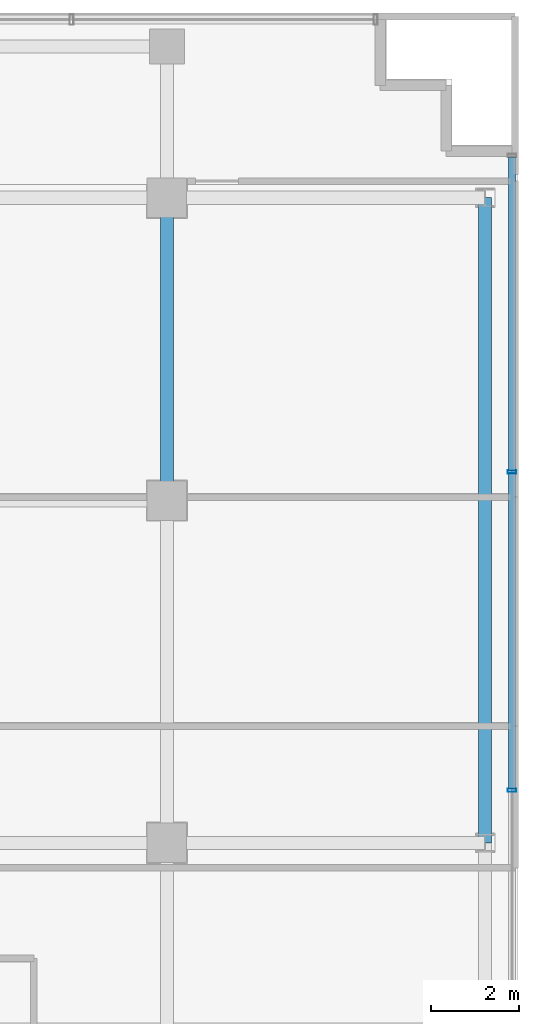
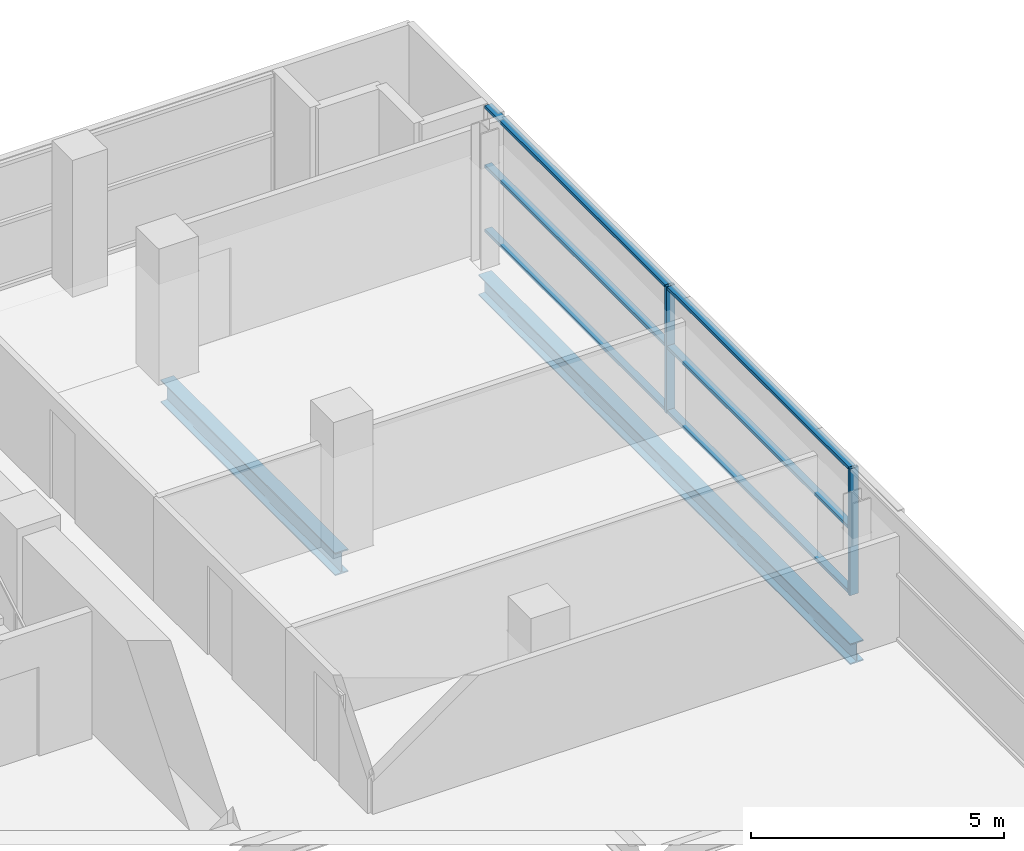
# One storey, part 9 of 23: 8 members, 2 beams, 1 element without a shape of its own.
"""IFC4 building model written with IfcOpenShell, lengths in metres."""

import ifcopenshell
import ifcopenshell.guid

model = None  # the IFC model being written
_history = None  # IfcOwnerHistory: only IFC2X3 demands one
_inside = {}  # id of a spatial element -> (the spatial element, [elements in it])
_under = {}  # id of a project, library or spatial element -> (it, [spatial elements below it])
_declared = {}  # id of a project -> (the project, [libraries it declares])
_typed = {}  # id of a type object -> (the type object, [elements of that type])
_made_of = {}  # id of a material, layer set ... -> (it, [elements and type objects made of it])


def new_model(schema):
    """Start an empty IFC model of exactly this schema.

    Asked for "IFC4X3", IfcOpenShell would pick the latest addendum, in which some entities
    have other attributes; the version numbers below select the first issue.
    IFC2X3 requires an IfcOwnerHistory on every rooted entity: one is made here for all.
    """
    global model, _history
    if schema == "IFC4X3":
        model = ifcopenshell.file(schema_version=(4, 3, 0, 0))
    else:
        model = ifcopenshell.file(schema=schema)
    _inside.clear()
    _under.clear()
    _declared.clear()
    _typed.clear()
    _made_of.clear()
    _history = None
    if model.schema == "IFC2X3":
        org = make("IfcOrganization", Name="unknown")
        user = make(
            "IfcPersonAndOrganization",
            ThePerson=make("IfcPerson", FamilyName="unknown"),
            TheOrganization=org,
        )
        app = make(
            "IfcApplication",
            ApplicationDeveloper=org,
            Version="unknown",
            ApplicationFullName="unknown",
            ApplicationIdentifier="unknown",
        )
        _history = make(
            "IfcOwnerHistory",
            OwningUser=user,
            OwningApplication=app,
            ChangeAction="ADDED",
            CreationDate=0,
        )
    return model


def make(cls, **values):
    """One entity of the class cls with the attributes given. An attribute that is None is left unset."""
    return model.create_entity(
        cls, **{name: value for name, value in values.items() if value is not None}
    )


def rooted(cls, **values):
    """An entity with a GlobalId (a new one), such as an element, a storey or a relation."""
    return make(cls, GlobalId=ifcopenshell.guid.new(), OwnerHistory=_history, **values)


def si_unit(unit_type, name, prefix=None):
    """IfcSIUnit, for example si_unit("LENGTHUNIT", "METRE", prefix="MILLI")."""
    return make("IfcSIUnit", UnitType=unit_type, Prefix=prefix, Name=name)


def assignment(units):
    """IfcUnitAssignment: the units of a project."""
    return None if units is None else make("IfcUnitAssignment", Units=units)


def point(xyz):
    """IfcCartesianPoint."""
    return None if xyz is None else make("IfcCartesianPoint", Coordinates=xyz)


def direction(xyz):
    """IfcDirection."""
    return None if xyz is None else make("IfcDirection", DirectionRatios=xyz)


def frame(location, z_axis=None, x_axis=None):
    """IfcAxis2Placement3D, a coordinate frame: its origin and axes. An axis left out is left unset."""
    return make(
        "IfcAxis2Placement3D",
        Location=point(location),
        Axis=direction(z_axis),
        RefDirection=direction(x_axis),
    )


def frame_2d(location, x_axis=None):
    """IfcAxis2Placement2D, a coordinate frame in the plane: its origin and x axis."""
    return make(
        "IfcAxis2Placement2D", Location=point(location), RefDirection=direction(x_axis)
    )


def origin():
    """The frame at (0, 0, 0) with its axes left unset."""
    return frame((0.0, 0.0, 0.0))


def origin_2d():
    """The frame at (0, 0) in the plane with its x axis left unset."""
    return frame_2d((0.0, 0.0))


def place(relative_to, where):
    """IfcLocalPlacement: puts the frame where relative to a parent placement (None: the world)."""
    return make(
        "IfcLocalPlacement", PlacementRelTo=relative_to, RelativePlacement=where
    )


def context(
    kind, dimensions, precision=None, world=None, true_north=None, identifier=None
):
    """IfcGeometricRepresentationContext, for example the 3D "Model" context."""
    return make(
        "IfcGeometricRepresentationContext",
        ContextIdentifier=identifier,
        ContextType=kind,
        CoordinateSpaceDimension=dimensions,
        Precision=precision,
        WorldCoordinateSystem=world,
        TrueNorth=true_north,
    )


def subcontext(parent, identifier, kind, view, scale=None):
    """IfcGeometricRepresentationSubContext, for example "Body" below "Model"."""
    return make(
        "IfcGeometricRepresentationSubContext",
        ContextIdentifier=identifier,
        ContextType=kind,
        ParentContext=parent,
        TargetScale=scale,
        TargetView=view,
    )


def project(units=None, contexts=None):
    """IfcProject with its units and contexts."""
    return rooted(
        "IfcProject",
        Name="project",
        RepresentationContexts=contexts,
        UnitsInContext=assignment(units),
    )


def spatial(cls, under=None, at=None, **own):
    """A site, building, storey or space (cls), placed at a placement, below another one or the project."""
    s = rooted(cls, ObjectPlacement=at, **own)
    if under is not None:
        _under.setdefault(under.id(), (under, []))[1].append(s)
    return s


def profile(cls, at=None, kind="AREA", **sizes):
    """A parametric profile (cls). Its sizes go by their IFC names, for example OverallWidth=200.0."""
    return make(cls, ProfileType=kind, Position=at, **sizes)


def hollow_rectangle(**sizes):
    """IfcRectangleHollowProfileDef."""
    return profile("IfcRectangleHollowProfileDef", **sizes)


def i_section(**sizes):
    """IfcIShapeProfileDef."""
    return profile("IfcIShapeProfileDef", **sizes)


def extrude(swept, where, along, depth):
    """IfcExtrudedAreaSolid: the profile swept, set in the frame where, extruded along a direction by depth."""
    return make(
        "IfcExtrudedAreaSolid",
        SweptArea=swept,
        Position=where,
        ExtrudedDirection=direction(along),
        Depth=depth,
    )


def shape(context_of_items, identifier, shape_type, items):
    """IfcShapeRepresentation: the items that make up one representation, for example the "Body"."""
    return make(
        "IfcShapeRepresentation",
        ContextOfItems=context_of_items,
        RepresentationIdentifier=identifier,
        RepresentationType=shape_type,
        Items=items,
    )


def source(mapping_origin, context_of_items, identifier, shape_type, items):
    """IfcRepresentationMap: a shape defined once, which mapped items show again and again."""
    return make(
        "IfcRepresentationMap",
        MappingOrigin=mapping_origin,
        MappedRepresentation=shape(context_of_items, identifier, shape_type, items),
    )


def transform(
    local_origin,
    x_axis=None,
    y_axis=None,
    z_axis=None,
    scale=None,
    scale2=None,
    scale3=None,
    uniform=True,
):
    """IfcCartesianTransformationOperator3D, or its non-uniform kind. x_axis, y_axis, z_axis: its Axis1, 2, 3."""
    if uniform:
        return make(
            "IfcCartesianTransformationOperator3D",
            Axis1=direction(x_axis),
            Axis2=direction(y_axis),
            LocalOrigin=point(local_origin),
            Scale=scale,
            Axis3=direction(z_axis),
        )
    return make(
        "IfcCartesianTransformationOperator3DnonUniform",
        Axis1=direction(x_axis),
        Axis2=direction(y_axis),
        LocalOrigin=point(local_origin),
        Scale=scale,
        Axis3=direction(z_axis),
        Scale2=scale2,
        Scale3=scale3,
    )


def mapped(mapping_source, mapping_target):
    """IfcMappedItem: shows the shape of a source again, moved by a transform."""
    return make(
        "IfcMappedItem", MappingSource=mapping_source, MappingTarget=mapping_target
    )


def material(Name=None, Category=None):
    """IfcMaterial."""
    return make("IfcMaterial", Name=Name, Category=Category)


def layer(
    of_material, thickness, ventilated=None, Name=None, Category=None, Priority=None
):
    """IfcMaterialLayer: one layer of a wall or slab, of a material (None: an air gap)."""
    return make(
        "IfcMaterialLayer",
        Material=of_material,
        LayerThickness=thickness,
        IsVentilated=ventilated,
        Name=Name,
        Category=Category,
        Priority=Priority,
    )


def layer_set(layers, Name=None):
    """IfcMaterialLayerSet."""
    return make("IfcMaterialLayerSet", MaterialLayers=layers, LayerSetName=Name)


def material_profile(
    of_material, cross_section, Name=None, Category=None, Priority=None
):
    """IfcMaterialProfile: a cross section and its material."""
    return make(
        "IfcMaterialProfile",
        Name=Name,
        Material=of_material,
        Profile=cross_section,
        Priority=Priority,
        Category=Category,
    )


def profile_set(profiles, Name=None, composite=None):
    """IfcMaterialProfileSet."""
    return make(
        "IfcMaterialProfileSet",
        Name=Name,
        MaterialProfiles=profiles,
        CompositeProfile=composite,
    )


def made_of(thing, what):
    """Note that an element or type object is made of a material, layer set ...; save() writes the relation."""
    if what is not None:
        _made_of.setdefault(what.id(), (what, []))[1].append(thing)
    return thing


def type_object(cls, material=None, **own):
    """A type object (cls), such as IfcWallType, which elements share."""
    return made_of(rooted(cls, **own), material)


def element(
    cls,
    number,
    at=None,
    inside=None,
    cuts=None,
    type_object=None,
    material=None,
    context=None,
    identifier="Body",
    shape_type=None,
    held_by="IfcProductDefinitionShape",
    body=None,
    shapes=None,
    **own,
):
    """One element of the class cls, such as IfcWall. Its Tag is "e" and its number.

    at: its placement. inside: the storey or other place that contains it. cuts: it is an
    opening in that element (IfcRelVoidsElement). A single representation is given by context,
    identifier, shape_type and body (its items); several are given by shapes. held_by: the class
    of the entity that holds the representations. save() writes the other relations.
    """
    e = rooted(cls, Tag="e%d" % number, ObjectPlacement=at, **own)
    if body is not None:
        shapes = [shape(context, identifier, shape_type, body)]
    if shapes is not None:
        e.Representation = make(held_by, Representations=shapes)
    if inside is not None:
        _inside.setdefault(inside.id(), (inside, []))[1].append(e)
    if cuts is not None:
        rooted(
            "IfcRelVoidsElement", RelatingBuildingElement=cuts, RelatedOpeningElement=e
        )
    if type_object is not None:
        _typed.setdefault(type_object.id(), (type_object, []))[1].append(e)
    return made_of(e, material)


def aggregate(whole, parts):
    """IfcRelAggregates: a whole, such as a stair, and the parts it consists of."""
    return rooted("IfcRelAggregates", RelatingObject=whole, RelatedObjects=parts)


def save(model, path):
    """Write the relations noted so far, then the file.

    IfcRelAggregates (storeys below a building ...), IfcRelContainedInSpatialStructure (elements
    in a storey), IfcRelDefinesByType, IfcRelAssociatesMaterial and IfcRelDeclares: one each for
    every whole, place, type object, material and project.
    """
    for whole, parts in _under.values():
        aggregate(whole, parts)
    for where, things in _inside.values():
        rooted(
            "IfcRelContainedInSpatialStructure",
            RelatedElements=things,
            RelatingStructure=where,
        )
    for kind, things in _typed.values():
        rooted("IfcRelDefinesByType", RelatedObjects=things, RelatingType=kind)
    for what, things in _made_of.values():
        rooted("IfcRelAssociatesMaterial", RelatedObjects=things, RelatingMaterial=what)
    for by, libraries in _declared.values():
        rooted("IfcRelDeclares", RelatingContext=by, RelatedDefinitions=libraries)
    model.write(path)


model = new_model("IFC4")

# Units and contexts
model_context = context("Model", 3, precision=1e-05, world=origin(), true_north=direction((0.0, 1.0)))
body_context = subcontext(model_context, "Body", "Model", "MODEL_VIEW")
ifc_project = project(units=[si_unit("LENGTHUNIT", "METRE"), si_unit("AREAUNIT", "SQUARE_METRE"), si_unit("VOLUMEUNIT", "CUBIC_METRE"), si_unit("PLANEANGLEUNIT", "RADIAN"), si_unit("MASSUNIT", "GRAM", prefix="KILO")], contexts=[model_context])

# Site, building, storey
site_placement = place(None, origin())
site = spatial("IfcSite", under=ifc_project, at=site_placement, CompositionType="ELEMENT")
building_placement = place(site_placement, origin())
building = spatial("IfcBuilding", under=site, at=building_placement, Name="Zarnakvel Exchange Tower", CompositionType="ELEMENT")
storey_placement = place(building_placement, frame((0.0, 0.0, 129.699951171875)))
storey = spatial("IfcBuildingStorey", under=building, at=storey_placement, Name="L36", CompositionType="ELEMENT", Elevation=129.699951171875)

# Beams
ifc_material_1 = material(Name="Steel S355", Category="steel")
ifc_material_profile_1 = material_profile(ifc_material_1, i_section(OverallWidth=0.300048828125, OverallDepth=0.550048828125, WebThickness=0.014892578125, FlangeThickness=0.029052734375, FilletRadius=0.027099609375, at=origin_2d()))
ifc_profile_set_1 = profile_set([ifc_material_profile_1], Name="Steel S355")
beam_type_1 = type_object("IfcBeamType", Name="G-05", PredefinedType="BEAM", material=ifc_profile_set_1)
beam_1_placement = place(storey_placement, frame((21.60009765625, 6.60009765625, -0.5), z_axis=(0.0, 1.0, 0.0), x_axis=(-1.0, 0.0, 0.0)))
element("IfcBeam", 1, at=beam_1_placement, inside=storey, type_object=beam_type_1, Name="L36 Tower N-S Frame Beam", PredefinedType="BEAM", context=body_context, shape_type="SweptSolid", body=[
    extrude(i_section(OverallWidth=0.300048828125, OverallDepth=0.550048828125, WebThickness=0.014892578125, FlangeThickness=0.029052734375, FilletRadius=0.027099609375, at=origin_2d()), origin(), (0.0, 0.0, 1.0), 6.89990234375),
])
ifc_material_profile_2 = material_profile(ifc_material_1, i_section(OverallWidth=0.300048828125, OverallDepth=0.5, WebThickness=0.014404296875, FlangeThickness=0.028076171875, FilletRadius=0.027099609375, at=origin_2d()))
ifc_profile_set_2 = profile_set([ifc_material_profile_2], Name="Steel S355")
beam_type_2 = type_object("IfcBeamType", Name="SP-02", PredefinedType="SPANDREL", material=ifc_profile_set_2)
beam_2_placement = place(storey_placement, frame((28.85009765625, -1.199951171875, -0.474853515625), z_axis=(0.0, 1.0, 0.0), x_axis=(-1.0, 0.0, 0.0)))
element("IfcBeam", 2, at=beam_2_placement, inside=storey, type_object=beam_type_2, Name="L36 Tower N-S Frame Beam", PredefinedType="SPANDREL", context=body_context, shape_type="SweptSolid", body=[
    extrude(i_section(OverallWidth=0.300048828125, OverallDepth=0.5, WebThickness=0.014404296875, FlangeThickness=0.028076171875, FilletRadius=0.027099609375, at=origin_2d()), origin(), (0.0, 0.0, 1.0), 14.699951171875),
])

# Curtain wall, members
ifc_material_2 = material(Name="Architectural Bronze Anodised Aluminium", Category="aluminium")
ifc_layer = layer(ifc_material_2, 0.199951171875)
ifc_layer_set = layer_set([ifc_layer], Name="Architectural Bronze Anodised Aluminium")
curtain_wall_type = type_object("IfcCurtainWallType", Name="CW-04", PredefinedType="NOTDEFINED", material=ifc_layer_set)
curtain_wall_placement = place(storey_placement, origin())
curtain_wall = element("IfcCurtainWall", 3, at=curtain_wall_placement, inside=storey, type_object=curtain_wall_type, Name="L36 Curtain Wall CW-L36-E1 (CW-04)", PredefinedType="NOTDEFINED")
ifc_material_profile_3 = material_profile(ifc_material_2, hollow_rectangle(XDim=0.199951171875, YDim=0.074951171875, WallThickness=0.0048828125, at=origin_2d()))
ifc_profile_set_3 = profile_set([ifc_material_profile_3], Name="Architectural Bronze Anodised Aluminium")
member_type_1 = type_object("IfcMemberType", Name="CWM-04", PredefinedType="MULLION", material=ifc_profile_set_3)
shared_shape_1 = source(origin(), body_context, "Body", "SweptSolid", [
    extrude(hollow_rectangle(XDim=0.199951171875, YDim=0.074951171875, WallThickness=0.0048828125, at=origin_2d()), origin(), (0.0, 0.0, 1.0), 3.054931640625),
])
member_1_placement = place(storey_placement, frame((29.4599609375, 0.0, 0.0), z_axis=(0.0, 0.0, 1.0), x_axis=(-1.0, 0.0, 0.0)))
member_1 = element("IfcMember", 4, at=member_1_placement, type_object=member_type_1, Name="CW-04 mullion 3", PredefinedType="MULLION", context=body_context, shape_type="MappedRepresentation", body=[
    mapped(shared_shape_1, transform((0.0, 0.0, 0.0), x_axis=(1.0, 0.0, 0.0), y_axis=(0.0, 1.0, 0.0), z_axis=(0.0, 0.0, 1.0), scale=1.0)),
])
member_2_placement = place(storey_placement, frame((29.4599609375, 7.25, 0.0), z_axis=(0.0, 0.0, 1.0), x_axis=(-1.0, 0.0, 0.0)))
member_2 = element("IfcMember", 5, at=member_2_placement, type_object=member_type_1, Name="CW-04 mullion 4", PredefinedType="MULLION", context=body_context, shape_type="MappedRepresentation", body=[
    mapped(shared_shape_1, transform((0.0, 0.0, 0.0), x_axis=(1.0, 0.0, 0.0), y_axis=(0.0, 1.0, 0.0), z_axis=(0.0, 0.0, 1.0), scale=1.0)),
])
ifc_material_profile_4 = material_profile(ifc_material_2, hollow_rectangle(XDim=0.159912109375, YDim=0.074951171875, WallThickness=0.00390625, at=origin_2d()))
ifc_profile_set_4 = profile_set([ifc_material_profile_4], Name="Architectural Bronze Anodised Aluminium")
member_type_2 = type_object("IfcMemberType", Name="CWT-04", PredefinedType="USERDEFINED", material=ifc_profile_set_4)
shared_shape_2 = source(origin(), body_context, "Body", "SweptSolid", [
    extrude(hollow_rectangle(XDim=0.159912109375, YDim=0.074951171875, WallThickness=0.00390625, at=origin_2d()), origin(), (0.0, 0.0, 1.0), 7.137451171875),
])
member_3_placement = place(storey_placement, frame((29.4599609375, 7.28759765625, 0.03759765625), z_axis=(0.0, 1.0, 0.0), x_axis=(-1.0, 0.0, 0.0)))
member_3 = element("IfcMember", 6, at=member_3_placement, type_object=member_type_2, Name="CW-04 transom 4.1", ObjectType="TRANSOM", PredefinedType="USERDEFINED", context=body_context, shape_type="MappedRepresentation", body=[
    mapped(shared_shape_2, transform((0.0, 0.0, 0.0), x_axis=(1.0, 0.0, 0.0), y_axis=(0.0, 1.0, 0.0), z_axis=(0.0, 0.0, 1.0), scale=1.0)),
])
member_4_placement = place(storey_placement, frame((29.4599609375, 7.28759765625, 1.588623046875), z_axis=(0.0, 1.0, 0.0), x_axis=(-1.0, 0.0, 0.0)))
member_4 = element("IfcMember", 7, at=member_4_placement, type_object=member_type_2, Name="CW-04 transom 4.2", ObjectType="TRANSOM", PredefinedType="USERDEFINED", context=body_context, shape_type="MappedRepresentation", body=[
    mapped(shared_shape_2, transform((0.0, 0.0, 0.0), x_axis=(1.0, 0.0, 0.0), y_axis=(0.0, 1.0, 0.0), z_axis=(0.0, 0.0, 1.0), scale=1.0)),
])
member_5_placement = place(storey_placement, frame((29.4599609375, 7.28759765625, 3.017578125), z_axis=(0.0, 1.0, 0.0), x_axis=(-1.0, 0.0, 0.0)))
member_5 = element("IfcMember", 8, at=member_5_placement, type_object=member_type_2, Name="CW-04 transom 4.3", ObjectType="TRANSOM", PredefinedType="USERDEFINED", context=body_context, shape_type="MappedRepresentation", body=[
    mapped(shared_shape_2, transform((0.0, 0.0, 0.0), x_axis=(1.0, 0.0, 0.0), y_axis=(0.0, 1.0, 0.0), z_axis=(0.0, 0.0, 1.0), scale=1.0)),
])
shared_shape_3 = source(origin(), body_context, "Body", "SweptSolid", [
    extrude(hollow_rectangle(XDim=0.159912109375, YDim=0.074951171875, WallThickness=0.00390625, at=origin_2d()), origin(), (0.0, 0.0, 1.0), 7.1748046875),
])
member_6_placement = place(storey_placement, frame((29.4599609375, 0.03759765625, 0.03759765625), z_axis=(0.0, 1.0, 0.0), x_axis=(-1.0, 0.0, 0.0)))
member_6 = element("IfcMember", 9, at=member_6_placement, type_object=member_type_2, Name="CW-04 transom 3.1", ObjectType="TRANSOM", PredefinedType="USERDEFINED", context=body_context, shape_type="MappedRepresentation", body=[
    mapped(shared_shape_3, transform((0.0, 0.0, 0.0), x_axis=(1.0, 0.0, 0.0), y_axis=(0.0, 1.0, 0.0), z_axis=(0.0, 0.0, 1.0), scale=1.0)),
])
member_7_placement = place(storey_placement, frame((29.4599609375, 0.03759765625, 1.588623046875), z_axis=(0.0, 1.0, 0.0), x_axis=(-1.0, 0.0, 0.0)))
member_7 = element("IfcMember", 10, at=member_7_placement, type_object=member_type_2, Name="CW-04 transom 3.2", ObjectType="TRANSOM", PredefinedType="USERDEFINED", context=body_context, shape_type="MappedRepresentation", body=[
    mapped(shared_shape_3, transform((0.0, 0.0, 0.0), x_axis=(1.0, 0.0, 0.0), y_axis=(0.0, 1.0, 0.0), z_axis=(0.0, 0.0, 1.0), scale=1.0)),
])
member_8_placement = place(storey_placement, frame((29.4599609375, 0.03759765625, 3.017578125), z_axis=(0.0, 1.0, 0.0), x_axis=(-1.0, 0.0, 0.0)))
member_8 = element("IfcMember", 11, at=member_8_placement, type_object=member_type_2, Name="CW-04 transom 3.3", ObjectType="TRANSOM", PredefinedType="USERDEFINED", context=body_context, shape_type="MappedRepresentation", body=[
    mapped(shared_shape_3, transform((0.0, 0.0, 0.0), x_axis=(1.0, 0.0, 0.0), y_axis=(0.0, 1.0, 0.0), z_axis=(0.0, 0.0, 1.0), scale=1.0)),
])
aggregate(curtain_wall, [member_1, member_2, member_6, member_7, member_8, member_3, member_4, member_5])

save(model, "model.ifc")
